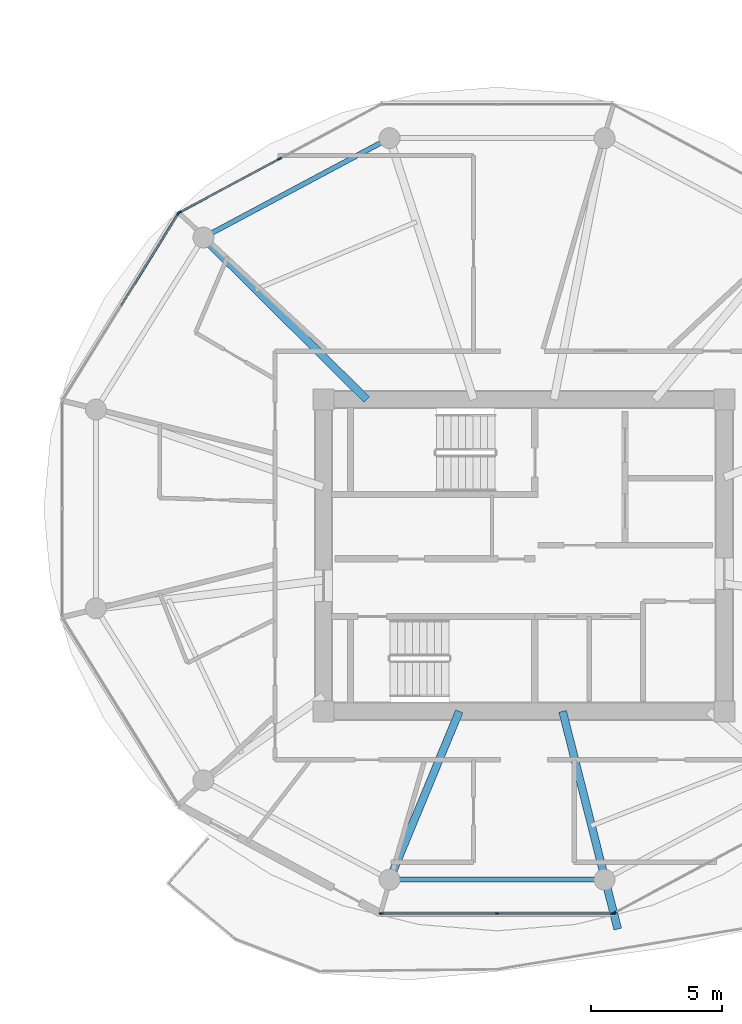
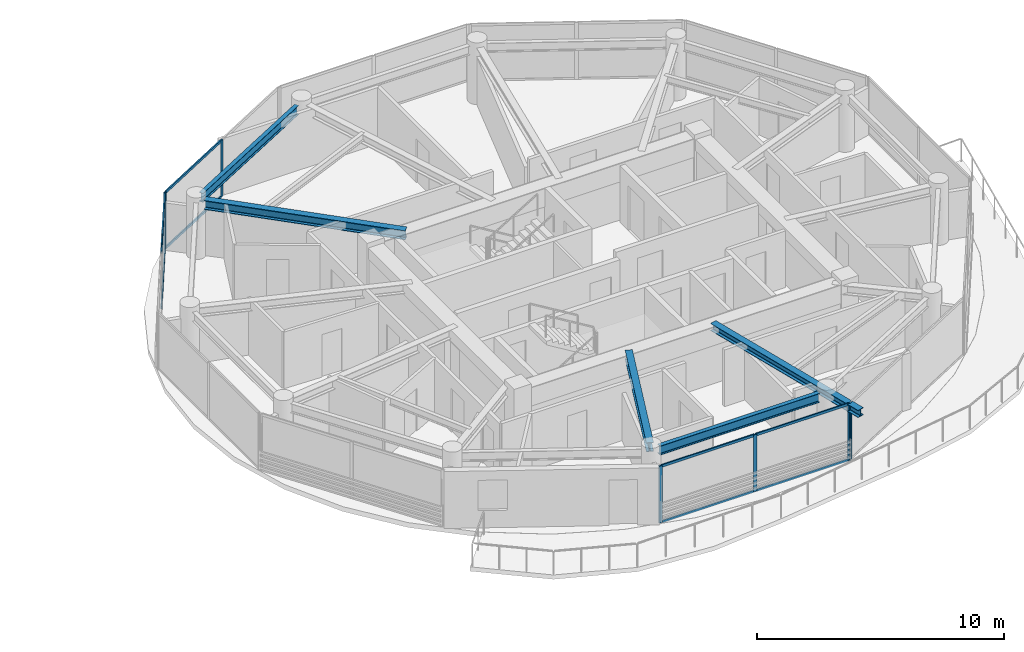
# One storey, part 8 of 24: 15 members, 5 beams, 4 elements without a shape of their own.
"""IFC4 building model written with IfcOpenShell, lengths in metres."""

from ifc_helpers import new_model, si_unit, direction, frame, origin, origin_2d, place, context, subcontext, project, spatial, rectangle, i_section, extrude, source, transform, mapped, material, layer, layer_set, material_profile, profile_set, type_object, type_shapes, element, aggregate, save


model = new_model("IFC4")

# Units and contexts
model_context = context("Model", 3, precision=1e-05, world=origin(), true_north=direction((0.0, 1.0)))
body_context = subcontext(model_context, "Body", "Model", "MODEL_VIEW")
ifc_project = project(units=[si_unit("LENGTHUNIT", "METRE"), si_unit("AREAUNIT", "SQUARE_METRE"), si_unit("VOLUMEUNIT", "CUBIC_METRE"), si_unit("PLANEANGLEUNIT", "RADIAN"), si_unit("MASSUNIT", "GRAM", prefix="KILO")], contexts=[model_context])

# Site, building, storey
site_placement = place(None, origin())
site = spatial("IfcSite", under=ifc_project, at=site_placement, CompositionType="ELEMENT")
building_placement = place(site_placement, origin())
building = spatial("IfcBuilding", under=site, at=building_placement, Name="Norrkilde Senior Care Towers", CompositionType="ELEMENT")
storey_placement = place(building_placement, frame((0.0, 0.0, 155.64990234375)))
storey = spatial("IfcBuildingStorey", under=building, at=storey_placement, Name="L48", CompositionType="ELEMENT", Elevation=155.64990234375)

# Beams
ifc_material_1 = material(Name="Steel S355", Category="steel")
ifc_material_profile_1 = material_profile(ifc_material_1, i_section(OverallWidth=0.18994140625, OverallDepth=0.449951171875, WebThickness=0.009521484375, FlangeThickness=0.0146484375, FilletRadius=0.02099609375, at=origin_2d()), Name="IPE 450")
ifc_profile_set_1 = profile_set([ifc_material_profile_1], Name="Steel S355")
beam_type_1 = type_object("IfcBeamType", Name="Perimeter Ring Spandrel Z3 IPE450", PredefinedType="SPANDREL", material=ifc_profile_set_1)
shared_shape_1 = source(origin(), body_context, "Body", "SweptSolid", [
    extrude(i_section(OverallWidth=0.18994140625, OverallDepth=0.449951171875, WebThickness=0.009521484375, FlangeThickness=0.0146484375, FilletRadius=0.02099609375, at=origin_2d()), origin(), (0.0, 0.0, 1.0), 7.333740234375),
])
beam_1_placement = place(storey_placement, frame((22.55517578125, 15.756591796875, 2.585205078125), z_axis=(-0.882247866069, -0.470785198172, 0.0), x_axis=(0.470785198172, -0.882247866069, 0.0)))
element("IfcBeam", 1, at=beam_1_placement, inside=storey, type_object=beam_type_1, Name="L48 Drum E Perimeter Spandrel 04", PredefinedType="SPANDREL", context=body_context, shape_type="MappedRepresentation", body=[
    mapped(shared_shape_1, transform((0.0, 0.0, 0.0), x_axis=(1.0, 0.0, 0.0), y_axis=(0.0, 1.0, 0.0), z_axis=(0.0, 0.0, 1.0), scale=1.0)),
])
ifc_material_profile_2 = material_profile(ifc_material_1, i_section(OverallWidth=0.300048828125, OverallDepth=0.449951171875, WebThickness=0.013916015625, FlangeThickness=0.02587890625, FilletRadius=0.027099609375, at=origin_2d()), Name="HEB 450")
ifc_profile_set_2 = profile_set([ifc_material_profile_2], Name="Steel S355")
beam_type_2 = type_object("IfcBeamType", Name="Radial Floor Beam Z3 HEB450", PredefinedType="BEAM", material=ifc_profile_set_2)
shared_shape_2 = source(origin(), body_context, "Body", "SweptSolid", [
    extrude(i_section(OverallWidth=0.300048828125, OverallDepth=0.449951171875, WebThickness=0.013916015625, FlangeThickness=0.02587890625, FilletRadius=0.027099609375, at=origin_2d()), origin(), (0.0, 0.0, 1.0), 8.421630859375),
])
beam_2_placement = place(storey_placement, frame((22.001953125, 5.949951171875, 2.585205078125), z_axis=(-0.709956495972, 0.704245535184, 0.0), x_axis=(-0.704245535184, -0.709956495972, 0.0)))
element("IfcBeam", 2, at=beam_2_placement, inside=storey, type_object=beam_type_2, Name="L48 Drum E Radial Floor Beam 05", PredefinedType="BEAM", context=body_context, shape_type="MappedRepresentation", body=[
    mapped(shared_shape_2, transform((0.0, 0.0, 0.0), x_axis=(1.0, 0.0, 0.0), y_axis=(0.0, 1.0, 0.0), z_axis=(0.0, 0.0, 1.0), scale=1.0)),
])
shared_shape_3 = source(origin(), body_context, "Body", "SweptSolid", [
    extrude(i_section(OverallWidth=0.18994140625, OverallDepth=0.449951171875, WebThickness=0.009521484375, FlangeThickness=0.0146484375, FilletRadius=0.02099609375, at=origin_2d()), origin(), (0.0, 0.0, 1.0), 7.484619140625),
])
type_shapes(beam_type_1, [shared_shape_1, shared_shape_3])
beam_3_placement = place(storey_placement, frame((23.232666015625, -12.37548828125, 2.585205078125), z_axis=(1.0, 0.0, 0.0), x_axis=(0.0, 1.0, 0.0)))
element("IfcBeam", 3, at=beam_3_placement, inside=storey, type_object=beam_type_1, Name="L48 Drum E Perimeter Spandrel 09", PredefinedType="SPANDREL", context=body_context, shape_type="MappedRepresentation", body=[
    mapped(shared_shape_3, transform((0.0, 0.0, 0.0), x_axis=(1.0, 0.0, 0.0), y_axis=(0.0, 1.0, 0.0), z_axis=(0.0, 0.0, 1.0), scale=1.0)),
])
shared_shape_4 = source(origin(), body_context, "Body", "SweptSolid", [
    extrude(i_section(OverallWidth=0.300048828125, OverallDepth=0.449951171875, WebThickness=0.013916015625, FlangeThickness=0.02587890625, FilletRadius=0.027099609375, at=origin_2d()), origin(), (0.0, 0.0, 1.0), 6.59521484375),
])
type_shapes(beam_type_2, [shared_shape_2, shared_shape_4])
beam_4_placement = place(storey_placement, frame((25.534912109375, -5.949951171875, 2.585205078125), z_axis=(-0.382761541363, -0.923847174836, 0.0), x_axis=(0.923847174836, -0.382761541363, 0.0)))
element("IfcBeam", 4, at=beam_4_placement, inside=storey, type_object=beam_type_2, Name="L48 Drum E Radial Floor Beam 09", PredefinedType="BEAM", context=body_context, shape_type="MappedRepresentation", body=[
    mapped(shared_shape_4, transform((0.0, 0.0, 0.0), x_axis=(1.0, 0.0, 0.0), y_axis=(0.0, 1.0, 0.0), z_axis=(0.0, 0.0, 1.0), scale=1.0)),
])
ifc_material_profile_3 = material_profile(ifc_material_1, i_section(OverallWidth=0.300048828125, OverallDepth=0.360107421875, WebThickness=0.012451171875, FlangeThickness=0.0224609375, FilletRadius=0.027099609375, at=origin_2d()), Name="HEB 360")
ifc_profile_set_3 = profile_set([ifc_material_profile_3], Name="Steel S355")
beam_type_3 = type_object("IfcBeamType", Name="Balcony Crest Cantilever Rib HEB360", PredefinedType="BEAM", material=ifc_profile_set_3)
shared_shape_5 = source(origin(), body_context, "Body", "SweptSolid", [
    extrude(i_section(OverallWidth=0.300048828125, OverallDepth=0.360107421875, WebThickness=0.012451171875, FlangeThickness=0.0224609375, FilletRadius=0.027099609375, at=origin_2d()), origin(), (0.0, 0.0, 1.0), 8.571044921875),
])
type_shapes(beam_type_3, [shared_shape_5])
beam_5_placement = place(storey_placement, frame((29.4794921875, -5.949951171875, 2.630126953125), z_axis=(0.245309368093, -0.969444848316, 0.0), x_axis=(0.969444848316, 0.245309368093, 0.0)))
element("IfcBeam", 5, at=beam_5_placement, inside=storey, type_object=beam_type_3, Name="L48 Drum E Balcony Cantilever Rib", PredefinedType="BEAM", context=body_context, shape_type="MappedRepresentation", body=[
    mapped(shared_shape_5, transform((0.0, 0.0, 0.0), x_axis=(1.0, 0.0, 0.0), y_axis=(0.0, 1.0, 0.0), z_axis=(0.0, 0.0, 1.0), scale=1.0)),
])

# Curtain wall, members
ifc_material_2 = material(Name="Triple Low-E Insulated Glazing", Category="glass")
ifc_layer = layer(ifc_material_2, 0.18994140625)
ifc_layer_set = layer_set([ifc_layer], Name="Triple Low-E Insulated Glazing")
curtain_wall_type = type_object("IfcCurtainWallType", Name="CW4 Zone 3 Senior Residence Curtain Wall", PredefinedType="NOTDEFINED", material=ifc_layer_set)
curtain_wall_1_placement = place(storey_placement, origin())
curtain_wall_1 = element("IfcCurtainWall", 6, at=curtain_wall_1_placement, inside=storey, type_object=curtain_wall_type, Name="L48 Drum E Curtain Wall 03", PredefinedType="NOTDEFINED")
ifc_material_3 = material(Name="Anodised Aluminium", Category="aluminium")
ifc_material_profile_4 = material_profile(ifc_material_3, rectangle(XDim=0.06494140625, YDim=0.14990234375, at=origin_2d()), Name="ALU MULL 65x150")
ifc_profile_set_4 = profile_set([ifc_material_profile_4], Name="Anodised Aluminium")
member_type_1 = type_object("IfcMemberType", Name="Curtain Wall Mullion Z3-Z4 65x150", PredefinedType="MULLION", material=ifc_profile_set_4)
shared_shape_6 = source(origin(), body_context, "Body", "SweptSolid", [
    extrude(rectangle(XDim=0.06494140625, YDim=0.14990234375, at=origin_2d()), origin(), (0.0, 0.0, 1.0), 2.81005859375),
])
type_shapes(member_type_1, [shared_shape_6])
member_1_placement = place(storey_placement, frame((14.85546875, 13.09033203125, 0.0), z_axis=(0.0, 0.0, 1.0), x_axis=(-0.47311715104, 0.880999524059, 0.0)))
member_1 = element("IfcMember", 7, at=member_1_placement, type_object=member_type_1, Name="CW-4 mullion 1", PredefinedType="MULLION", context=body_context, shape_type="MappedRepresentation", body=[
    mapped(shared_shape_6, transform((0.0, 0.0, 0.0), x_axis=(1.0, 0.0, 0.0), y_axis=(0.0, 1.0, 0.0), z_axis=(0.0, 0.0, 1.0), scale=1.0)),
])
member_2_placement = place(storey_placement, frame((18.677734375, 15.142822265625, 0.0), z_axis=(0.0, 0.0, 1.0), x_axis=(-0.47311715104, 0.880999524059, 0.0)))
member_2 = element("IfcMember", 8, at=member_2_placement, type_object=member_type_1, Name="CW-4 mullion 2", PredefinedType="MULLION", context=body_context, shape_type="MappedRepresentation", body=[
    mapped(shared_shape_6, transform((0.0, 0.0, 0.0), x_axis=(1.0, 0.0, 0.0), y_axis=(0.0, 1.0, 0.0), z_axis=(0.0, 0.0, 1.0), scale=1.0)),
])

# Curtain wall, member
curtain_wall_2_placement = place(storey_placement, origin())
curtain_wall_2 = element("IfcCurtainWall", 9, at=curtain_wall_2_placement, inside=storey, type_object=curtain_wall_type, Name="L48 Drum E Curtain Wall 04", PredefinedType="NOTDEFINED")
member_3_placement = place(storey_placement, frame((14.809814453125, 13.04736328125, 0.0), z_axis=(0.0, 0.0, 1.0), x_axis=(-0.84963405474, 0.52737270789, 0.0)))
member_3 = element("IfcMember", 10, at=member_3_placement, type_object=member_type_1, Name="CW-4 mullion 3", PredefinedType="MULLION", context=body_context, shape_type="MappedRepresentation", body=[
    mapped(shared_shape_6, transform((0.0, 0.0, 0.0), x_axis=(1.0, 0.0, 0.0), y_axis=(0.0, 1.0, 0.0), z_axis=(0.0, 0.0, 1.0), scale=1.0)),
])

# Curtain wall, members
curtain_wall_3_placement = place(storey_placement, origin())
curtain_wall_3 = element("IfcCurtainWall", 11, at=curtain_wall_3_placement, inside=storey, type_object=curtain_wall_type, Name="L48 Drum E Curtain Wall 08", PredefinedType="NOTDEFINED")
member_4_placement = place(storey_placement, frame((31.388916015625, -13.66015625, 0.0), z_axis=(0.0, 0.0, 1.0), x_axis=(0.0, -1.0, 0.0)))
member_4 = element("IfcMember", 12, at=member_4_placement, type_object=member_type_1, Name="CW-4 mullion 1", PredefinedType="MULLION", context=body_context, shape_type="MappedRepresentation", body=[
    mapped(shared_shape_6, transform((0.0, 0.0, 0.0), x_axis=(1.0, 0.0, 0.0), y_axis=(0.0, 1.0, 0.0), z_axis=(0.0, 0.0, 1.0), scale=1.0)),
])
member_5_placement = place(storey_placement, frame((26.97509765625, -13.66015625, 0.0), z_axis=(0.0, 0.0, 1.0), x_axis=(0.0, -1.0, 0.0)))
member_5 = element("IfcMember", 13, at=member_5_placement, type_object=member_type_1, Name="CW-4 mullion 2", PredefinedType="MULLION", context=body_context, shape_type="MappedRepresentation", body=[
    mapped(shared_shape_6, transform((0.0, 0.0, 0.0), x_axis=(1.0, 0.0, 0.0), y_axis=(0.0, 1.0, 0.0), z_axis=(0.0, 0.0, 1.0), scale=1.0)),
])
member_6_placement = place(storey_placement, frame((22.56103515625, -13.66015625, 0.0), z_axis=(0.0, 0.0, 1.0), x_axis=(0.0, -1.0, 0.0)))
member_6 = element("IfcMember", 14, at=member_6_placement, type_object=member_type_1, Name="CW-4 mullion 3", PredefinedType="MULLION", context=body_context, shape_type="MappedRepresentation", body=[
    mapped(shared_shape_6, transform((0.0, 0.0, 0.0), x_axis=(1.0, 0.0, 0.0), y_axis=(0.0, 1.0, 0.0), z_axis=(0.0, 0.0, 1.0), scale=1.0)),
])

# Curtain wall, member
curtain_wall_4_placement = place(storey_placement, origin())
curtain_wall_4 = element("IfcCurtainWall", 15, at=curtain_wall_4_placement, inside=storey, type_object=curtain_wall_type, Name="L48 Drum E Curtain Wall 09", PredefinedType="NOTDEFINED")
member_7_placement = place(storey_placement, frame((31.4501953125, -13.644775390625, 0.0), z_axis=(0.0, 0.0, 1.0), x_axis=(0.47311715104, -0.880999524059, 0.0)))
member_7 = element("IfcMember", 16, at=member_7_placement, type_object=member_type_1, Name="CW-4 mullion 3", PredefinedType="MULLION", context=body_context, shape_type="MappedRepresentation", body=[
    mapped(shared_shape_6, transform((0.0, 0.0, 0.0), x_axis=(1.0, 0.0, 0.0), y_axis=(0.0, 1.0, 0.0), z_axis=(0.0, 0.0, 1.0), scale=1.0)),
])
aggregate(curtain_wall_4, [member_7])

# Member
ifc_material_profile_5 = material_profile(ifc_material_3, rectangle(XDim=0.06005859375, YDim=0.1201171875, at=origin_2d()), Name="ALU TRAN 60x120")
ifc_profile_set_5 = profile_set([ifc_material_profile_5], Name="Anodised Aluminium")
member_type_2 = type_object("IfcMemberType", Name="Curtain Wall Transom Typical 60x120", PredefinedType="USERDEFINED", material=ifc_profile_set_5)
shared_shape_7 = source(origin(), body_context, "Body", "SweptSolid", [
    extrude(rectangle(XDim=0.06005859375, YDim=0.1201171875, at=origin_2d()), origin(), (0.0, 0.0, 1.0), 4.1181640625),
])
member_8_placement = place(storey_placement, frame((12.620849609375, 9.520751953125, 0.030029296875), z_axis=(0.527374667286, 0.849632838528, 0.0), x_axis=(-0.849632838528, 0.527374667286, 0.0)))
member_8 = element("IfcMember", 17, at=member_8_placement, type_object=member_type_2, Name="CW-4 transom 2.1", ObjectType="TRANSOM", PredefinedType="USERDEFINED", context=body_context, shape_type="MappedRepresentation", body=[
    mapped(shared_shape_7, transform((0.0, 0.0, 0.0), x_axis=(1.0, 0.0, 0.0), y_axis=(0.0, 1.0, 0.0), z_axis=(0.0, 0.0, 1.0), scale=1.0)),
])

member_9_placement = place(storey_placement, frame((12.620849609375, 9.520751953125, 2.780029296875), z_axis=(0.527374667286, 0.849632838528, 0.0), x_axis=(-0.849632838528, 0.527374667286, 0.0)))
member_9 = element("IfcMember", 18, at=member_9_placement, type_object=member_type_2, Name="CW-4 transom 2.2", ObjectType="TRANSOM", PredefinedType="USERDEFINED", context=body_context, shape_type="MappedRepresentation", body=[
    mapped(shared_shape_7, transform((0.0, 0.0, 0.0), x_axis=(1.0, 0.0, 0.0), y_axis=(0.0, 1.0, 0.0), z_axis=(0.0, 0.0, 1.0), scale=1.0)),
])

aggregate(curtain_wall_2, [member_3, member_8, member_9])

shared_shape_8 = source(origin(), body_context, "Body", "SweptSolid", [
    extrude(rectangle(XDim=0.06005859375, YDim=0.1201171875, at=origin_2d()), origin(), (0.0, 0.0, 1.0), 4.2734375),
])
member_10_placement = place(storey_placement, frame((14.88427734375, 13.105712890625, 0.030029296875), z_axis=(0.881009863348, 0.473097897567, 0.0), x_axis=(-0.473097897567, 0.881009863348, 0.0)))
member_10 = element("IfcMember", 19, at=member_10_placement, type_object=member_type_2, Name="CW-4 transom 1.1", ObjectType="TRANSOM", PredefinedType="USERDEFINED", context=body_context, shape_type="MappedRepresentation", body=[
    mapped(shared_shape_8, transform((0.0, 0.0, 0.0), x_axis=(1.0, 0.0, 0.0), y_axis=(0.0, 1.0, 0.0), z_axis=(0.0, 0.0, 1.0), scale=1.0)),
])

member_11_placement = place(storey_placement, frame((14.88427734375, 13.105712890625, 2.780029296875), z_axis=(0.881009863348, 0.473097897567, 0.0), x_axis=(-0.473097897567, 0.881009863348, 0.0)))
member_11 = element("IfcMember", 20, at=member_11_placement, type_object=member_type_2, Name="CW-4 transom 1.2", ObjectType="TRANSOM", PredefinedType="USERDEFINED", context=body_context, shape_type="MappedRepresentation", body=[
    mapped(shared_shape_8, transform((0.0, 0.0, 0.0), x_axis=(1.0, 0.0, 0.0), y_axis=(0.0, 1.0, 0.0), z_axis=(0.0, 0.0, 1.0), scale=1.0)),
])

aggregate(curtain_wall_1, [member_1, member_2, member_10, member_11])

shared_shape_9 = source(origin(), body_context, "Body", "SweptSolid", [
    extrude(rectangle(XDim=0.06005859375, YDim=0.1201171875, at=origin_2d()), origin(), (0.0, 0.0, 1.0), 4.348876953125),
])
type_shapes(member_type_2, [shared_shape_7, shared_shape_8, shared_shape_9])
member_12_placement = place(storey_placement, frame((31.3564453125, -13.66015625, 0.030029296875), z_axis=(-1.0, 0.0, 0.0), x_axis=(0.0, -1.0, 0.0)))
member_12 = element("IfcMember", 21, at=member_12_placement, type_object=member_type_2, Name="CW-4 transom 1.1", ObjectType="TRANSOM", PredefinedType="USERDEFINED", context=body_context, shape_type="MappedRepresentation", body=[
    mapped(shared_shape_9, transform((0.0, 0.0, 0.0), x_axis=(1.0, 0.0, 0.0), y_axis=(0.0, 1.0, 0.0), z_axis=(0.0, 0.0, 1.0), scale=1.0)),
])

member_13_placement = place(storey_placement, frame((31.3564453125, -13.66015625, 2.780029296875), z_axis=(-1.0, 0.0, 0.0), x_axis=(0.0, -1.0, 0.0)))
member_13 = element("IfcMember", 22, at=member_13_placement, type_object=member_type_2, Name="CW-4 transom 1.2", ObjectType="TRANSOM", PredefinedType="USERDEFINED", context=body_context, shape_type="MappedRepresentation", body=[
    mapped(shared_shape_9, transform((0.0, 0.0, 0.0), x_axis=(1.0, 0.0, 0.0), y_axis=(0.0, 1.0, 0.0), z_axis=(0.0, 0.0, 1.0), scale=1.0)),
])

member_14_placement = place(storey_placement, frame((26.9423828125, -13.66015625, 0.030029296875), z_axis=(-1.0, 0.0, 0.0), x_axis=(0.0, -1.0, 0.0)))
member_14 = element("IfcMember", 23, at=member_14_placement, type_object=member_type_2, Name="CW-4 transom 2.1", ObjectType="TRANSOM", PredefinedType="USERDEFINED", context=body_context, shape_type="MappedRepresentation", body=[
    mapped(shared_shape_9, transform((0.0, 0.0, 0.0), x_axis=(1.0, 0.0, 0.0), y_axis=(0.0, 1.0, 0.0), z_axis=(0.0, 0.0, 1.0), scale=1.0)),
])

member_15_placement = place(storey_placement, frame((26.9423828125, -13.66015625, 2.780029296875), z_axis=(-1.0, 0.0, 0.0), x_axis=(0.0, -1.0, 0.0)))
member_15 = element("IfcMember", 24, at=member_15_placement, type_object=member_type_2, Name="CW-4 transom 2.2", ObjectType="TRANSOM", PredefinedType="USERDEFINED", context=body_context, shape_type="MappedRepresentation", body=[
    mapped(shared_shape_9, transform((0.0, 0.0, 0.0), x_axis=(1.0, 0.0, 0.0), y_axis=(0.0, 1.0, 0.0), z_axis=(0.0, 0.0, 1.0), scale=1.0)),
])

aggregate(curtain_wall_3, [member_4, member_5, member_6, member_12, member_13, member_14, member_15])

save(model, "model.ifc")
